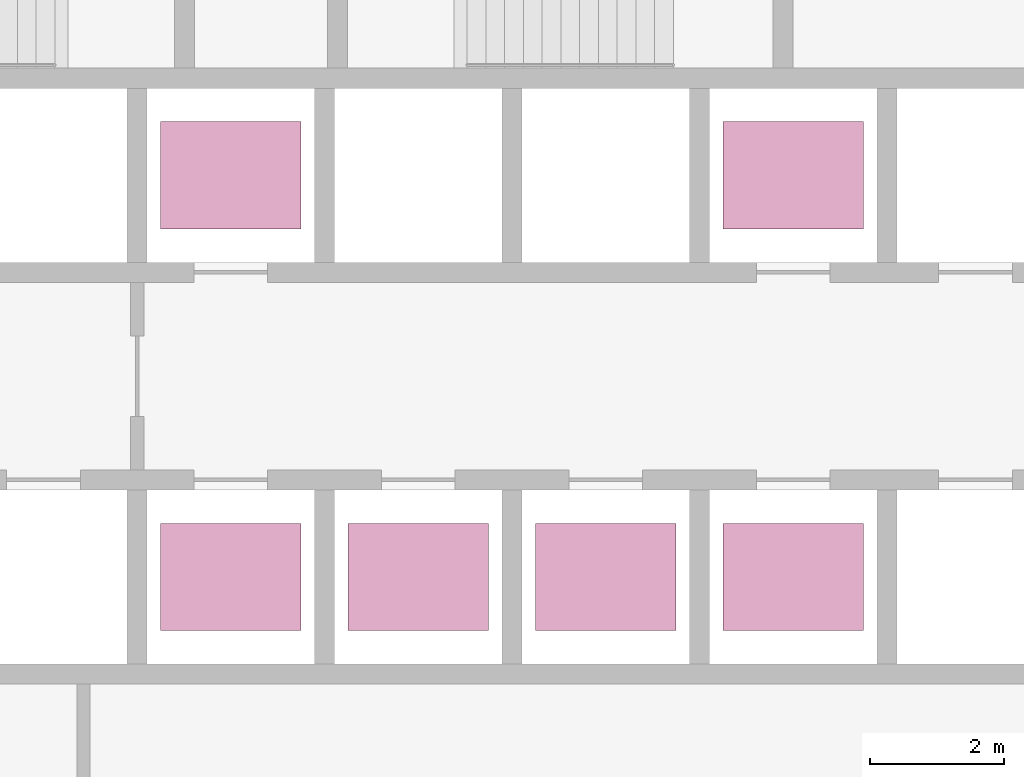
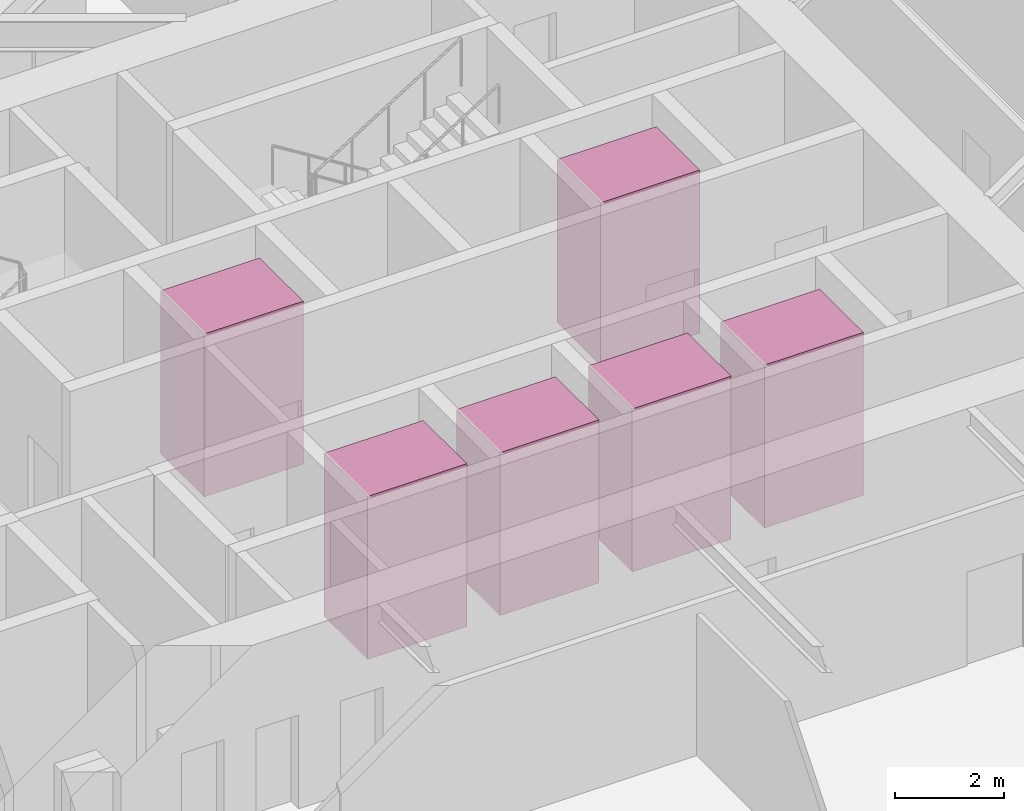
# One storey, part 22 of 22: 6 transport elements.
"""IFC4 building model written with IfcOpenShell, lengths in metres."""

from ifc_helpers import new_model, si_unit, direction, frame, origin, origin_2d, place, context, subcontext, project, spatial, rectangle, extrude, material, type_object, element, save


model = new_model("IFC4")

# Units and contexts
model_context = context("Model", 3, precision=1e-05, world=origin(), true_north=direction((0.0, 1.0)))
body_context = subcontext(model_context, "Body", "Model", "MODEL_VIEW")
ifc_project = project(units=[si_unit("LENGTHUNIT", "METRE"), si_unit("AREAUNIT", "SQUARE_METRE"), si_unit("VOLUMEUNIT", "CUBIC_METRE"), si_unit("PLANEANGLEUNIT", "RADIAN"), si_unit("MASSUNIT", "GRAM", prefix="KILO")], contexts=[model_context])

# Site, building, storey
site_placement = place(None, origin())
site = spatial("IfcSite", under=ifc_project, at=site_placement, CompositionType="ELEMENT")
building_placement = place(site_placement, origin())
building = spatial("IfcBuilding", under=site, at=building_placement, Name="Firuza Gate Tower and Library", CompositionType="ELEMENT")
storey_placement = place(building_placement, frame((0.0, 0.0, 111.39990234375)))
storey = spatial("IfcBuildingStorey", under=building, at=storey_placement, Name="L25", CompositionType="ELEMENT", Elevation=111.39990234375)

# Transport elements
ifc_material = material(Name="Stainless steel and glass", Category="steel")
transport_element_type = type_object("IfcTransportElementType", Name="Low-rise lift car 2100x1600", PredefinedType="ELEVATOR", material=ifc_material)
for number, where, z_axis, x_axis, name in (
    (1, (74.64990234375, 70.300048828125, 0.000244140625), (0.0, 0.0, 1.0), (1.0, 0.0, 0.0), "Low-rise lift LR1"),
    (2, (77.449951171875, 70.300048828125, 0.000244140625), (0.0, 0.0, 1.0), (1.0, 0.0, 0.0), "Low-rise lift LR2"),
    (3, (80.25, 70.300048828125, 0.000244140625), (0.0, 0.0, 1.0), (1.0, 0.0, 0.0), "Low-rise lift LR3"),
    (4, (74.64990234375, 76.300048828125, 0.000244140625), (0.0, 0.0, 1.0), (1.0, 0.0, 0.0), "Low-rise lift LR4"),
    (5, (83.050048828125, 70.300048828125, 0.000244140625), (0.0, 0.0, 1.0), (1.0, 0.0, 0.0), "Low-rise lift LR5"),
    (6, (83.050048828125, 76.300048828125, 0.000244140625), (0.0, 0.0, 1.0), (1.0, 0.0, 0.0), "Low-rise lift LR6"),
):
    element("IfcTransportElement", number, at=place(storey_placement, frame(where, z_axis=z_axis, x_axis=x_axis)), inside=storey, type_object=transport_element_type, Name=name, PredefinedType="ELEVATOR", context=body_context, shape_type="SweptSolid", body=[
        extrude(rectangle(XDim=2.10009765625, YDim=1.60009765625, at=origin_2d()), origin(), (0.0, 0.0, 1.0), 3.64990234375),
    ])

save(model, "model.ifc")
